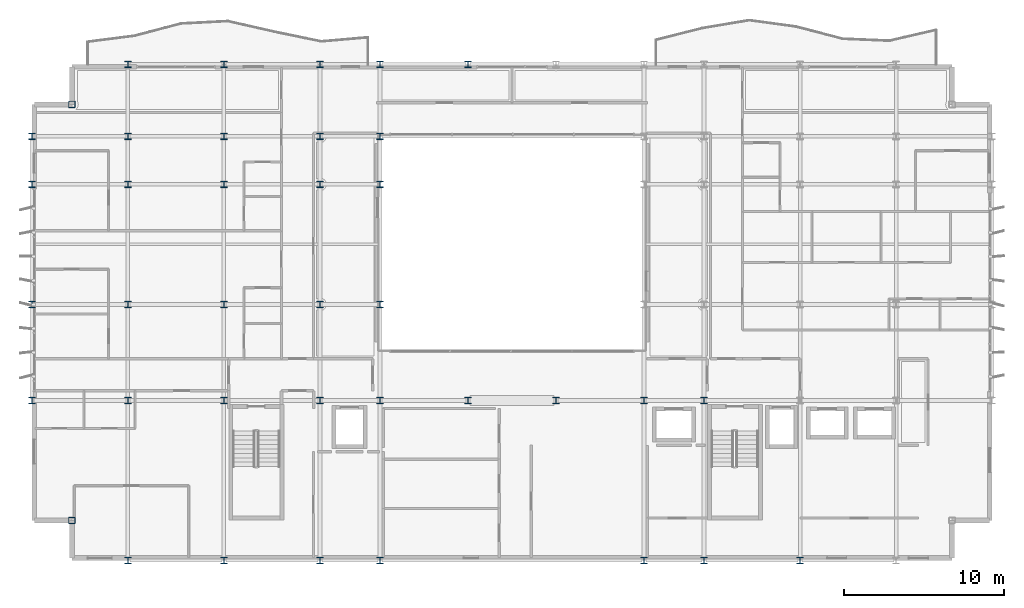
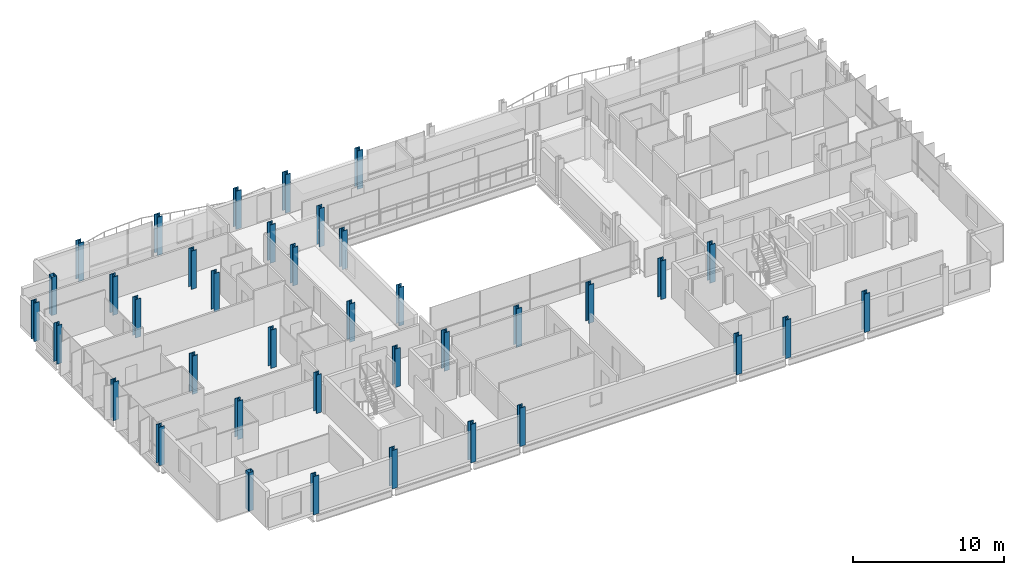
# One storey, part 1 of 38: 38 columns.
"""IFC4 building model written with IfcOpenShell, lengths in metres."""

from ifc_helpers import new_model, si_unit, direction, frame, origin, origin_2d, place, context, subcontext, project, spatial, hollow_rectangle, i_section, extrude, material, material_profile, profile_set, type_object, element, save


model = new_model("IFC4")

# Units and contexts
model_context = context("Model", 3, precision=1e-05, world=origin(), true_north=direction((0.0, 1.0)))
body_context = subcontext(model_context, "Body", "Model", "MODEL_VIEW")
ifc_project = project(units=[si_unit("LENGTHUNIT", "METRE"), si_unit("AREAUNIT", "SQUARE_METRE"), si_unit("VOLUMEUNIT", "CUBIC_METRE"), si_unit("PLANEANGLEUNIT", "RADIAN"), si_unit("MASSUNIT", "GRAM", prefix="KILO")], contexts=[model_context])

# Site, building, storey
site_placement = place(None, origin())
site = spatial("IfcSite", under=ifc_project, at=site_placement, CompositionType="ELEMENT")
building_placement = place(site_placement, origin())
building = spatial("IfcBuilding", under=site, at=building_placement, Name="Brevholm Reach", CompositionType="ELEMENT")
storey_placement = place(building_placement, frame((0.0, 0.0, 166.60009765625)))
storey = spatial("IfcBuildingStorey", under=building, at=storey_placement, Name="L50", CompositionType="ELEMENT", Elevation=166.60009765625)

# Columns
ifc_material_1 = material(Name="Structural Steel S460NH", Category="steel")
ifc_material_profile_1 = material_profile(ifc_material_1, hollow_rectangle(XDim=0.39990234375, YDim=0.39990234375, WallThickness=0.02001953125, InnerFilletRadius=0.011962890625, OuterFilletRadius=0.02392578125, at=origin_2d()), Name="SHS 400x400x20")
ifc_profile_set_1 = profile_set([ifc_material_profile_1], Name="Structural Steel S460NH")
column_type_1 = type_object("IfcColumnType", Name="COL-SHS2", PredefinedType="COLUMN", material=ifc_profile_set_1)
for number, where, z_axis, x_axis, name in (
    (1, (2.5, 2.5, 0.0), (0.0, 0.0, 1.0), (1.0, 0.0, 0.0), "L50 Column 05"),
    (2, (2.5, 28.5, 0.0), (0.0, 0.0, 1.0), (1.0, 0.0, 0.0), "L50 Column 06"),
):
    element("IfcColumn", number, at=place(storey_placement, frame(where, z_axis=z_axis, x_axis=x_axis)), inside=storey, type_object=column_type_1, Name=name, PredefinedType="COLUMN", context=body_context, shape_type="SweptSolid", body=[
        extrude(hollow_rectangle(XDim=0.39990234375, YDim=0.39990234375, WallThickness=0.02001953125, InnerFilletRadius=0.011962890625, OuterFilletRadius=0.02392578125, at=origin_2d()), origin(), (0.0, 0.0, 1.0), 3.099853515625),
    ])
ifc_material_2 = material(Name="Structural Steel S355J2", Category="steel")
ifc_material_profile_2 = material_profile(ifc_material_2, i_section(OverallWidth=0.406982421875, OverallDepth=0.4189453125, WebThickness=0.030517578125, FlangeThickness=0.04931640625, FilletRadius=0.01513671875, at=origin_2d()), Name="UKC 356x406x393")
ifc_profile_set_2 = profile_set([ifc_material_profile_2], Name="Structural Steel S355J2")
column_type_2 = type_object("IfcColumnType", Name="COL-UC4", PredefinedType="COLUMN", material=ifc_profile_set_2)
for number, where, z_axis, x_axis, name in (
    (3, (0.0, 10.0, 0.0), (0.0, 0.0, 1.0), (1.0, 0.0, 0.0), "L50 Column 01"),
    (4, (0.0, 16.0, 0.0), (0.0, 0.0, 1.0), (1.0, 0.0, 0.0), "L50 Column 02"),
    (5, (0.0, 23.5, 0.0), (0.0, 0.0, 1.0), (1.0, 0.0, 0.0), "L50 Column 03"),
    (6, (0.0, 26.5, 0.0), (0.0, 0.0, 1.0), (1.0, 0.0, 0.0), "L50 Column 04"),
    (7, (6.0, 0.0, 0.0), (0.0, 0.0, 1.0), (1.0, 0.0, 0.0), "L50 Column 07"),
    (8, (6.0, 31.0, 0.0), (0.0, 0.0, 1.0), (1.0, 0.0, 0.0), "L50 Column 12"),
    (9, (12.0, 0.0, 0.0), (0.0, 0.0, 1.0), (1.0, 0.0, 0.0), "L50 Column 13"),
    (10, (12.0, 31.0, 0.0), (0.0, 0.0, 1.0), (1.0, 0.0, 0.0), "L50 Column 18"),
    (11, (18.0, 0.0, 0.0), (0.0, 0.0, 1.0), (1.0, 0.0, 0.0), "L50 Column 19"),
    (12, (18.0, 31.0, 0.0), (0.0, 0.0, 1.0), (1.0, 0.0, 0.0), "L50 Column 24"),
    (13, (21.75, 0.0, 0.0), (0.0, 0.0, 1.0), (1.0, 0.0, 0.0), "L50 Column 25"),
    (14, (21.75, 31.0, 0.0), (0.0, 0.0, 1.0), (1.0, 0.0, 0.0), "L50 Column 30"),
    (15, (27.25, 31.0, 0.0), (0.0, 0.0, 1.0), (1.0, 0.0, 0.0), "L50 Column 32"),
    (16, (38.25, 0.0, 0.0), (0.0, 0.0, 1.0), (1.0, 0.0, 0.0), "L50 Column 35"),
    (17, (42.0, 0.0, 0.0), (0.0, 0.0, 1.0), (1.0, 0.0, 0.0), "L50 Column 41"),
    (18, (48.0, 0.0, 0.0), (0.0, 0.0, 1.0), (1.0, 0.0, 0.0), "L50 Column 47"),
):
    element("IfcColumn", number, at=place(storey_placement, frame(where, z_axis=z_axis, x_axis=x_axis)), inside=storey, type_object=column_type_2, Name=name, PredefinedType="COLUMN", context=body_context, shape_type="SweptSolid", body=[
        extrude(i_section(OverallWidth=0.406982421875, OverallDepth=0.4189453125, WebThickness=0.030517578125, FlangeThickness=0.04931640625, FilletRadius=0.01513671875, at=origin_2d()), origin(), (0.0, 0.0, 1.0), 3.099853515625),
    ])
ifc_material_3 = material(Name="Structural Steel S355J2", Category="steel")
ifc_material_profile_3 = material_profile(ifc_material_3, i_section(OverallWidth=0.403076171875, OverallDepth=0.406494140625, WebThickness=0.026611328125, FlangeThickness=0.04296875, FilletRadius=0.01513671875, at=origin_2d()), Name="UKC 356x406x340")
ifc_profile_set_3 = profile_set([ifc_material_profile_3], Name="Structural Steel S355J2")
column_type_3 = type_object("IfcColumnType", Name="COL-UC5", PredefinedType="COLUMN", material=ifc_profile_set_3)
for number, where, z_axis, x_axis, name in (
    (19, (6.0, 10.0, 0.0), (0.0, 0.0, 1.0), (1.0, 0.0, 0.0), "L50 Column 08"),
    (20, (6.0, 16.0, 0.0), (0.0, 0.0, 1.0), (1.0, 0.0, 0.0), "L50 Column 09"),
    (21, (6.0, 23.5, 0.0), (0.0, 0.0, 1.0), (1.0, 0.0, 0.0), "L50 Column 10"),
    (22, (6.0, 26.5, 0.0), (0.0, 0.0, 1.0), (1.0, 0.0, 0.0), "L50 Column 11"),
    (23, (12.0, 10.0, 0.0), (0.0, 0.0, 1.0), (1.0, 0.0, 0.0), "L50 Column 14"),
    (24, (12.0, 16.0, 0.0), (0.0, 0.0, 1.0), (1.0, 0.0, 0.0), "L50 Column 15"),
    (25, (12.0, 23.5, 0.0), (0.0, 0.0, 1.0), (1.0, 0.0, 0.0), "L50 Column 16"),
    (26, (12.0, 26.5, 0.0), (0.0, 0.0, 1.0), (1.0, 0.0, 0.0), "L50 Column 17"),
    (27, (18.0, 10.0, 0.0), (0.0, 0.0, 1.0), (1.0, 0.0, 0.0), "L50 Column 20"),
    (28, (18.0, 16.0, 0.0), (0.0, 0.0, 1.0), (1.0, 0.0, 0.0), "L50 Column 21"),
    (29, (18.0, 23.5, 0.0), (0.0, 0.0, 1.0), (1.0, 0.0, 0.0), "L50 Column 22"),
    (30, (18.0, 26.5, 0.0), (0.0, 0.0, 1.0), (1.0, 0.0, 0.0), "L50 Column 23"),
    (31, (21.75, 10.0, 0.0), (0.0, 0.0, 1.0), (1.0, 0.0, 0.0), "L50 Column 26"),
    (32, (21.75, 16.0, 0.0), (0.0, 0.0, 1.0), (1.0, 0.0, 0.0), "L50 Column 27"),
    (33, (21.75, 23.5, 0.0), (0.0, 0.0, 1.0), (1.0, 0.0, 0.0), "L50 Column 28"),
    (34, (21.75, 26.5, 0.0), (0.0, 0.0, 1.0), (1.0, 0.0, 0.0), "L50 Column 29"),
    (35, (27.25, 10.0, 0.0), (0.0, 0.0, 1.0), (1.0, 0.0, 0.0), "L50 Column 31"),
    (36, (32.75, 10.0, 0.0), (0.0, 0.0, 1.0), (1.0, 0.0, 0.0), "L50 Column 33"),
    (37, (38.25, 10.0, 0.0), (0.0, 0.0, 1.0), (1.0, 0.0, 0.0), "L50 Column 36"),
    (38, (42.0, 10.0, 0.0), (0.0, 0.0, 1.0), (1.0, 0.0, 0.0), "L50 Column 42"),
):
    element("IfcColumn", number, at=place(storey_placement, frame(where, z_axis=z_axis, x_axis=x_axis)), inside=storey, type_object=column_type_3, Name=name, PredefinedType="COLUMN", context=body_context, shape_type="SweptSolid", body=[
        extrude(i_section(OverallWidth=0.403076171875, OverallDepth=0.406494140625, WebThickness=0.026611328125, FlangeThickness=0.04296875, FilletRadius=0.01513671875, at=origin_2d()), origin(), (0.0, 0.0, 1.0), 3.099853515625),
    ])

save(model, "model.ifc")
